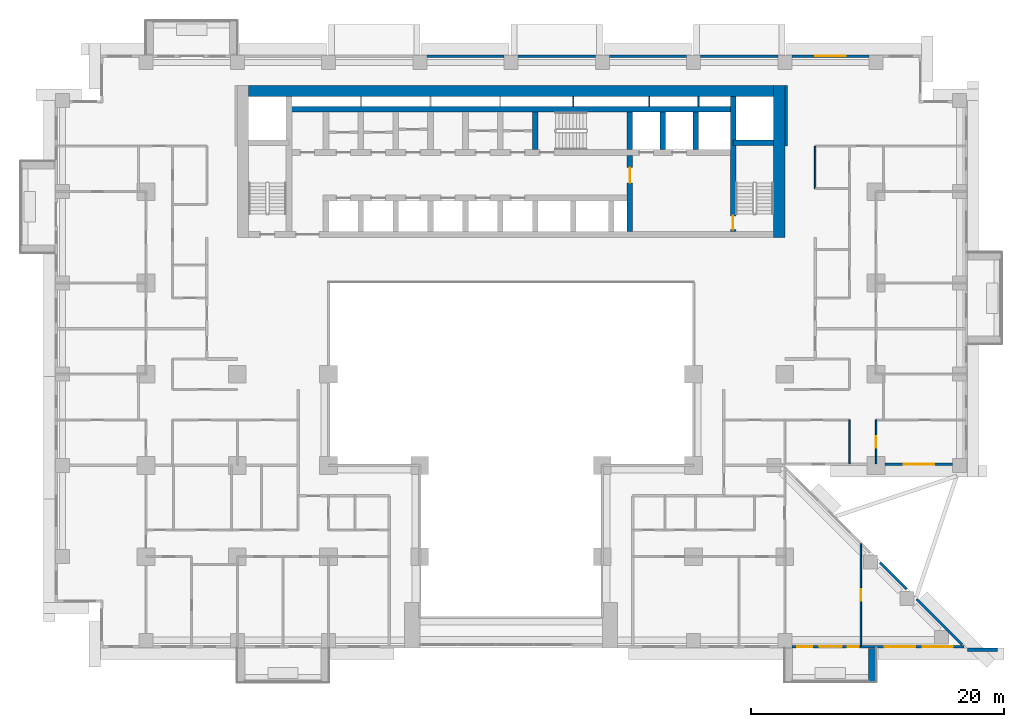
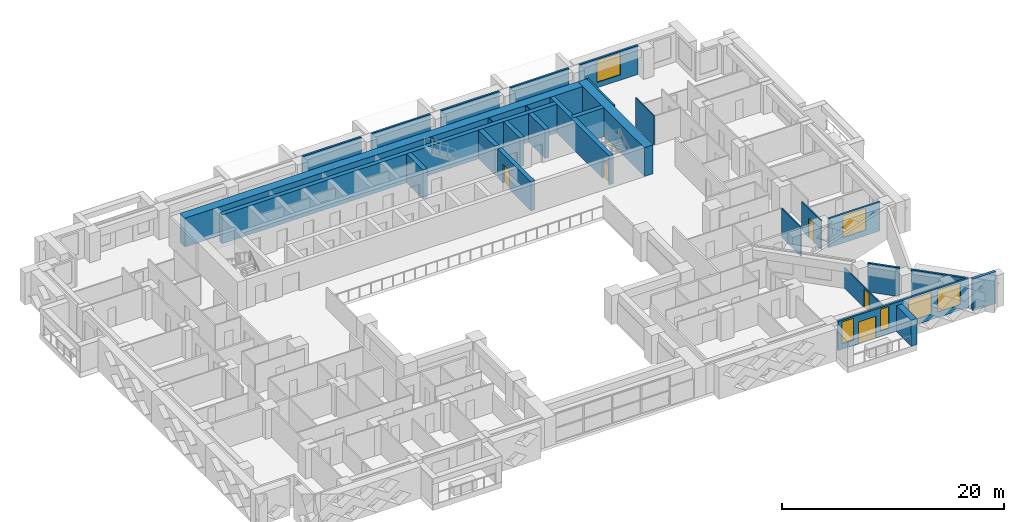
# One storey, part 11 of 17: 29 walls, 6 windows, 5 doors, 11 openings.
"""IFC4 building model written with IfcOpenShell, lengths in metres."""

import ifcopenshell
import ifcopenshell.guid

model = None  # the IFC model being written
_history = None  # IfcOwnerHistory: only IFC2X3 demands one
_inside = {}  # id of a spatial element -> (the spatial element, [elements in it])
_under = {}  # id of a project, library or spatial element -> (it, [spatial elements below it])
_declared = {}  # id of a project -> (the project, [libraries it declares])
_typed = {}  # id of a type object -> (the type object, [elements of that type])
_made_of = {}  # id of a material, layer set ... -> (it, [elements and type objects made of it])


def new_model(schema):
    """Start an empty IFC model of exactly this schema.

    Asked for "IFC4X3", IfcOpenShell would pick the latest addendum, in which some entities
    have other attributes; the version numbers below select the first issue.
    IFC2X3 requires an IfcOwnerHistory on every rooted entity: one is made here for all.
    """
    global model, _history
    if schema == "IFC4X3":
        model = ifcopenshell.file(schema_version=(4, 3, 0, 0))
    else:
        model = ifcopenshell.file(schema=schema)
    _inside.clear()
    _under.clear()
    _declared.clear()
    _typed.clear()
    _made_of.clear()
    _history = None
    if model.schema == "IFC2X3":
        org = make("IfcOrganization", Name="unknown")
        user = make(
            "IfcPersonAndOrganization",
            ThePerson=make("IfcPerson", FamilyName="unknown"),
            TheOrganization=org,
        )
        app = make(
            "IfcApplication",
            ApplicationDeveloper=org,
            Version="unknown",
            ApplicationFullName="unknown",
            ApplicationIdentifier="unknown",
        )
        _history = make(
            "IfcOwnerHistory",
            OwningUser=user,
            OwningApplication=app,
            ChangeAction="ADDED",
            CreationDate=0,
        )
    return model


def make(cls, **values):
    """One entity of the class cls with the attributes given. An attribute that is None is left unset."""
    return model.create_entity(
        cls, **{name: value for name, value in values.items() if value is not None}
    )


def rooted(cls, **values):
    """An entity with a GlobalId (a new one), such as an element, a storey or a relation."""
    return make(cls, GlobalId=ifcopenshell.guid.new(), OwnerHistory=_history, **values)


def si_unit(unit_type, name, prefix=None):
    """IfcSIUnit, for example si_unit("LENGTHUNIT", "METRE", prefix="MILLI")."""
    return make("IfcSIUnit", UnitType=unit_type, Prefix=prefix, Name=name)


def assignment(units):
    """IfcUnitAssignment: the units of a project."""
    return None if units is None else make("IfcUnitAssignment", Units=units)


def point(xyz):
    """IfcCartesianPoint."""
    return None if xyz is None else make("IfcCartesianPoint", Coordinates=xyz)


def direction(xyz):
    """IfcDirection."""
    return None if xyz is None else make("IfcDirection", DirectionRatios=xyz)


def frame(location, z_axis=None, x_axis=None):
    """IfcAxis2Placement3D, a coordinate frame: its origin and axes. An axis left out is left unset."""
    return make(
        "IfcAxis2Placement3D",
        Location=point(location),
        Axis=direction(z_axis),
        RefDirection=direction(x_axis),
    )


def frame_2d(location, x_axis=None):
    """IfcAxis2Placement2D, a coordinate frame in the plane: its origin and x axis."""
    return make(
        "IfcAxis2Placement2D", Location=point(location), RefDirection=direction(x_axis)
    )


def origin():
    """The frame at (0, 0, 0) with its axes left unset."""
    return frame((0.0, 0.0, 0.0))


def place(relative_to, where):
    """IfcLocalPlacement: puts the frame where relative to a parent placement (None: the world)."""
    return make(
        "IfcLocalPlacement", PlacementRelTo=relative_to, RelativePlacement=where
    )


def context(
    kind, dimensions, precision=None, world=None, true_north=None, identifier=None
):
    """IfcGeometricRepresentationContext, for example the 3D "Model" context."""
    return make(
        "IfcGeometricRepresentationContext",
        ContextIdentifier=identifier,
        ContextType=kind,
        CoordinateSpaceDimension=dimensions,
        Precision=precision,
        WorldCoordinateSystem=world,
        TrueNorth=true_north,
    )


def subcontext(parent, identifier, kind, view, scale=None):
    """IfcGeometricRepresentationSubContext, for example "Body" below "Model"."""
    return make(
        "IfcGeometricRepresentationSubContext",
        ContextIdentifier=identifier,
        ContextType=kind,
        ParentContext=parent,
        TargetScale=scale,
        TargetView=view,
    )


def project(units=None, contexts=None):
    """IfcProject with its units and contexts."""
    return rooted(
        "IfcProject",
        Name="project",
        RepresentationContexts=contexts,
        UnitsInContext=assignment(units),
    )


def spatial(cls, under=None, at=None, **own):
    """A site, building, storey or space (cls), placed at a placement, below another one or the project."""
    s = rooted(cls, ObjectPlacement=at, **own)
    if under is not None:
        _under.setdefault(under.id(), (under, []))[1].append(s)
    return s


def profile(cls, at=None, kind="AREA", **sizes):
    """A parametric profile (cls). Its sizes go by their IFC names, for example OverallWidth=200.0."""
    return make(cls, ProfileType=kind, Position=at, **sizes)


def rectangle(**sizes):
    """IfcRectangleProfileDef."""
    return profile("IfcRectangleProfileDef", **sizes)


def extrude(swept, where, along, depth):
    """IfcExtrudedAreaSolid: the profile swept, set in the frame where, extruded along a direction by depth."""
    return make(
        "IfcExtrudedAreaSolid",
        SweptArea=swept,
        Position=where,
        ExtrudedDirection=direction(along),
        Depth=depth,
    )


def shape(context_of_items, identifier, shape_type, items):
    """IfcShapeRepresentation: the items that make up one representation, for example the "Body"."""
    return make(
        "IfcShapeRepresentation",
        ContextOfItems=context_of_items,
        RepresentationIdentifier=identifier,
        RepresentationType=shape_type,
        Items=items,
    )


def material(Name=None, Category=None):
    """IfcMaterial."""
    return make("IfcMaterial", Name=Name, Category=Category)


def layer(
    of_material, thickness, ventilated=None, Name=None, Category=None, Priority=None
):
    """IfcMaterialLayer: one layer of a wall or slab, of a material (None: an air gap)."""
    return make(
        "IfcMaterialLayer",
        Material=of_material,
        LayerThickness=thickness,
        IsVentilated=ventilated,
        Name=Name,
        Category=Category,
        Priority=Priority,
    )


def layer_set(layers, Name=None):
    """IfcMaterialLayerSet."""
    return make("IfcMaterialLayerSet", MaterialLayers=layers, LayerSetName=Name)


def made_of(thing, what):
    """Note that an element or type object is made of a material, layer set ...; save() writes the relation."""
    if what is not None:
        _made_of.setdefault(what.id(), (what, []))[1].append(thing)
    return thing


def type_object(cls, material=None, **own):
    """A type object (cls), such as IfcWallType, which elements share."""
    return made_of(rooted(cls, **own), material)


def element(
    cls,
    number,
    at=None,
    inside=None,
    cuts=None,
    type_object=None,
    material=None,
    context=None,
    identifier="Body",
    shape_type=None,
    held_by="IfcProductDefinitionShape",
    body=None,
    shapes=None,
    **own,
):
    """One element of the class cls, such as IfcWall. Its Tag is "e" and its number.

    at: its placement. inside: the storey or other place that contains it. cuts: it is an
    opening in that element (IfcRelVoidsElement). A single representation is given by context,
    identifier, shape_type and body (its items); several are given by shapes. held_by: the class
    of the entity that holds the representations. save() writes the other relations.
    """
    e = rooted(cls, Tag="e%d" % number, ObjectPlacement=at, **own)
    if body is not None:
        shapes = [shape(context, identifier, shape_type, body)]
    if shapes is not None:
        e.Representation = make(held_by, Representations=shapes)
    if inside is not None:
        _inside.setdefault(inside.id(), (inside, []))[1].append(e)
    if cuts is not None:
        rooted(
            "IfcRelVoidsElement", RelatingBuildingElement=cuts, RelatedOpeningElement=e
        )
    if type_object is not None:
        _typed.setdefault(type_object.id(), (type_object, []))[1].append(e)
    return made_of(e, material)


def fill(opening, filler):
    """IfcRelFillsElement: the door or window that sits in an opening."""
    return rooted(
        "IfcRelFillsElement",
        RelatingOpeningElement=opening,
        RelatedBuildingElement=filler,
    )


def aggregate(whole, parts):
    """IfcRelAggregates: a whole, such as a stair, and the parts it consists of."""
    return rooted("IfcRelAggregates", RelatingObject=whole, RelatedObjects=parts)


def save(model, path):
    """Write the relations noted so far, then the file.

    IfcRelAggregates (storeys below a building ...), IfcRelContainedInSpatialStructure (elements
    in a storey), IfcRelDefinesByType, IfcRelAssociatesMaterial and IfcRelDeclares: one each for
    every whole, place, type object, material and project.
    """
    for whole, parts in _under.values():
        aggregate(whole, parts)
    for where, things in _inside.values():
        rooted(
            "IfcRelContainedInSpatialStructure",
            RelatedElements=things,
            RelatingStructure=where,
        )
    for kind, things in _typed.values():
        rooted("IfcRelDefinesByType", RelatedObjects=things, RelatingType=kind)
    for what, things in _made_of.values():
        rooted("IfcRelAssociatesMaterial", RelatedObjects=things, RelatingMaterial=what)
    for by, libraries in _declared.values():
        rooted("IfcRelDeclares", RelatingContext=by, RelatedDefinitions=libraries)
    model.write(path)


model = new_model("IFC4")

# Units and contexts
model_context = context("Model", 3, precision=1e-05, world=origin(), true_north=direction((0.0, 1.0)))
body_context = subcontext(model_context, "Body", "Model", "MODEL_VIEW")
ifc_project = project(units=[si_unit("LENGTHUNIT", "METRE"), si_unit("AREAUNIT", "SQUARE_METRE"), si_unit("VOLUMEUNIT", "CUBIC_METRE"), si_unit("PLANEANGLEUNIT", "RADIAN"), si_unit("MASSUNIT", "GRAM", prefix="KILO")], contexts=[model_context])

# Site, building, storey
site_placement = place(None, origin())
site = spatial("IfcSite", under=ifc_project, at=site_placement, CompositionType="ELEMENT")
building_placement = place(site_placement, origin())
building = spatial("IfcBuilding", under=site, at=building_placement, Name="Saffron Iwan Residences", CompositionType="ELEMENT")
storey_placement = place(building_placement, frame((0.0, 0.0, 55.0)))
storey = spatial("IfcBuildingStorey", under=building, at=storey_placement, Name="L13", CompositionType="ELEMENT", Elevation=55.0)

# Walls
ifc_material_1 = material(Name="Concrete C50/60 white painted", Category="concrete")
ifc_layer_1 = layer(ifc_material_1, 0.60009765625)
ifc_layer_set_1 = layer_set([ifc_layer_1], Name="Concrete C50/60 white painted")
wall_type_1 = type_object("IfcWallType", Name="BALCONY FIN 600", PredefinedType="SOLIDWALL", material=ifc_layer_set_1)
wall_1_placement = place(storey_placement, frame((78.89990234375, 33.550048828125, 0.0), z_axis=(0.0, 0.0, 1.0), x_axis=(0.0, -1.0, 0.0)))
element("IfcWall", 1, at=wall_1_placement, inside=storey, type_object=wall_type_1, Name="Balcony fin L13 11-1b", PredefinedType="SOLIDWALL", context=body_context, shape_type="SweptSolid", body=[
    extrude(rectangle(XDim=2.650146484375, YDim=0.60009765625, at=frame_2d((1.3251953125, 0.0))), origin(), (0.0, 0.0, 1.0), 2.85009765625),
])
ifc_material_2 = material(Name="Concrete C40/50", Category="concrete")
ifc_layer_2 = layer(ifc_material_2, 0.199951171875)
ifc_layer_set_2 = layer_set([ifc_layer_2], Name="Concrete C40/50")
wall_type_2 = type_object("IfcWallType", Name="EXTERNAL WALL 200", PredefinedType="SOLIDWALL", material=ifc_layer_set_2)
wall_2_placement = place(storey_placement, frame((85.995849609375, 33.862548828125, 0.0), z_axis=(0.0, 0.0, 1.0), x_axis=(-0.7070827891, 0.707130772459, 0.0)))
element("IfcWall", 2, at=wall_2_placement, inside=storey, type_object=wall_type_2, Name="External wall L13 F0.0", PredefinedType="SOLIDWALL", context=body_context, shape_type="SweptSolid", body=[
    extrude(rectangle(XDim=5.088134765625, YDim=0.199951171875, at=frame_2d((2.5439453125, 0.0))), origin(), (0.0, 0.0, 1.0), 3.179931640625),
])
wall_3_placement = place(storey_placement, frame((81.620361328125, 38.23828125, 0.0), z_axis=(0.0, 0.0, 1.0), x_axis=(-0.707106781187, 0.707106781187, 0.0)))
element("IfcWall", 3, at=wall_3_placement, inside=storey, type_object=wall_type_2, Name="External wall L13 F0.1", PredefinedType="SOLIDWALL", context=body_context, shape_type="SweptSolid", body=[
    extrude(rectangle(XDim=2.97265625, YDim=0.199951171875, at=frame_2d((1.486328125, 0.0))), origin(), (0.0, 0.0, 1.0), 3.179931640625),
])

# Wall, opening, window
wall_4_placement = place(storey_placement, frame((79.89990234375, 48.10009765625, 0.0), z_axis=(0.0, 0.0, 1.0), x_axis=(1.0, 0.0, 0.0)))
wall_4 = element("IfcWall", 4, at=wall_4_placement, inside=storey, type_object=wall_type_2, Name="External wall L13 F1.1", PredefinedType="SOLIDWALL", context=body_context, shape_type="SweptSolid", body=[
    extrude(rectangle(XDim=5.35009765625, YDim=0.199951171875, at=frame_2d((2.675048828125, 0.0))), origin(), (0.0, 0.0, 1.0), 3.179931640625),
])
opening_1_placement = place(wall_4_placement, frame((1.47509765625, 0.0, 0.60009765625)))
opening_1 = element("IfcOpeningElement", 5, at=opening_1_placement, cuts=wall_4, Name="Opening W1", PredefinedType="OPENING", context=body_context, shape_type="SweptSolid", body=[
    extrude(rectangle(XDim=2.39990234375, YDim=2.39990234375, at=frame_2d((1.199951171875, 1.199951171875))), frame((0.0, 0.10986328125, 0.0), z_axis=(0.0, -1.0, 0.0), x_axis=(1.0, 0.0, 0.0)), (0.0, 0.0, 1.0), 0.219970703125),
])
ifc_material_3 = material(Name="Clear glass, laminated double glazed", Category="glass")
window_type_1 = type_object("IfcWindowType", Name="WINDOW 2400 x 2400", PartitioningType="DOUBLE_PANEL_VERTICAL", PredefinedType="WINDOW", material=ifc_material_3)
window_1_placement = place(opening_1_placement, origin())
window_1 = element("IfcWindow", 6, at=window_1_placement, inside=storey, type_object=window_type_1, Name="Window L13 F1.0", OverallHeight=2.39990234375, OverallWidth=2.39990234375, PartitioningType="DOUBLE_PANEL_VERTICAL", PredefinedType="WINDOW", context=body_context, shape_type="SweptSolid", body=[
    extrude(rectangle(XDim=2.39990234375, YDim=2.39990234375, at=frame_2d((1.199951171875, 1.199951171875))), frame((0.0, 0.030029296875, 0.0), z_axis=(0.0, -1.0, 0.0), x_axis=(1.0, 0.0, 0.0)), (0.0, 0.0, 1.0), 0.06005859375),
])
fill(opening_1, window_1)

wall_5_placement = place(storey_placement, frame((78.64990234375, 80.300048828125, 0.0), z_axis=(0.0, 0.0, 1.0), x_axis=(-1.0, 0.0, 0.0)))
wall_5 = element("IfcWall", 7, at=wall_5_placement, inside=storey, type_object=wall_type_2, Name="External wall L13 F5.1", PredefinedType="SOLIDWALL", context=body_context, shape_type="SweptSolid", body=[
    extrude(rectangle(XDim=6.099853515625, YDim=0.199951171875, at=frame_2d((3.0498046875, 0.0))), origin(), (0.0, 0.0, 1.0), 3.179931640625),
])
opening_2_placement = place(wall_5_placement, frame((1.85009765625, 0.0, 0.60009765625)))
opening_2 = element("IfcOpeningElement", 8, at=opening_2_placement, cuts=wall_5, Name="Opening W1", PredefinedType="OPENING", context=body_context, shape_type="SweptSolid", body=[
    extrude(rectangle(XDim=2.39990234375, YDim=2.39990234375, at=frame_2d((1.199951171875, 1.199951171875))), frame((0.0, 0.10986328125, 0.0), z_axis=(0.0, -1.0, 0.0), x_axis=(1.0, 0.0, 0.0)), (0.0, 0.0, 1.0), 0.219970703125),
])
window_2_placement = place(opening_2_placement, origin())
window_2 = element("IfcWindow", 9, at=window_2_placement, inside=storey, type_object=window_type_1, Name="Window L13 F5.0", OverallHeight=2.39990234375, OverallWidth=2.39990234375, PartitioningType="DOUBLE_PANEL_VERTICAL", PredefinedType="WINDOW", context=body_context, shape_type="SweptSolid", body=[
    extrude(rectangle(XDim=2.39990234375, YDim=2.39990234375, at=frame_2d((1.199951171875, 1.199951171875))), frame((0.0, 0.030029296875, 0.0), z_axis=(0.0, -1.0, 0.0), x_axis=(1.0, 0.0, 0.0)), (0.0, 0.0, 1.0), 0.06005859375),
])
fill(opening_2, window_2)

# Walls
wall_6_placement = place(storey_placement, frame((71.449951171875, 80.300048828125, 0.0), z_axis=(0.0, 0.0, 1.0), x_axis=(-1.0, 0.0, 0.0)))
element("IfcWall", 10, at=wall_6_placement, inside=storey, type_object=wall_type_2, Name="External wall L13 F5.2", PredefinedType="SOLIDWALL", context=body_context, shape_type="SweptSolid", body=[
    extrude(rectangle(XDim=6.099853515625, YDim=0.199951171875, at=frame_2d((3.0498046875, 0.0))), origin(), (0.0, 0.0, 1.0), 3.179931640625),
])
for number, where, z_axis, x_axis, name in (
    (11, (64.25, 80.300048828125, 0.0), (0.0, 0.0, 1.0), (-1.0, 0.0, 0.0), "External wall L13 F5.3"),
    (12, (57.050048828125, 80.300048828125, 0.0), (0.0, 0.0, 1.0), (-1.0, 0.0, 0.0), "External wall L13 F5.4"),
    (13, (49.85009765625, 80.300048828125, 0.0), (0.0, 0.0, 1.0), (-1.0, 0.0, 0.0), "External wall L13 F5.5"),
):
    element("IfcWall", number, at=place(storey_placement, frame(where, z_axis=z_axis, x_axis=x_axis)), inside=storey, type_object=wall_type_2, Name=name, PredefinedType="SOLIDWALL", context=body_context, shape_type="SweptSolid", body=[
        extrude(rectangle(XDim=6.10009765625, YDim=0.199951171875, at=frame_2d((3.050048828125, 0.0))), origin(), (0.0, 0.0, 1.0), 3.179931640625),
    ])

# Wall, openings, door, windows
wall_7_placement = place(storey_placement, frame((72.550048828125, 33.699951171875, 0.0), z_axis=(0.0, 0.0, 1.0), x_axis=(1.0, 0.0, 0.0)))
wall_7 = element("IfcWall", 14, at=wall_7_placement, inside=storey, type_object=wall_type_2, Name="External wall L13 F11.6", PredefinedType="SOLIDWALL", context=body_context, shape_type="SweptSolid", body=[
    extrude(rectangle(XDim=13.608642578125, YDim=0.199951171875, at=frame_2d((6.80419921875, 0.0))), origin(), (0.0, 0.0, 1.0), 3.179931640625),
])
opening_3_placement = place(wall_7_placement, frame((2.14990234375, 0.0, 0.0)))
opening_3 = element("IfcOpeningElement", 15, at=opening_3_placement, cuts=wall_7, Name="Opening BD1", PredefinedType="OPENING", context=body_context, shape_type="SweptSolid", body=[
    extrude(rectangle(XDim=1.800048828125, YDim=2.39990234375, at=frame_2d((0.89990234375, 1.199951171875))), frame((0.0, 0.10986328125, 0.0), z_axis=(0.0, -1.0, 0.0), x_axis=(1.0, 0.0, 0.0)), (0.0, 0.0, 1.0), 0.219970703125),
])
opening_4_placement = place(wall_7_placement, frame((0.425048828125, 0.0, 0.60009765625)))
opening_4 = element("IfcOpeningElement", 16, at=opening_4_placement, cuts=wall_7, Name="Opening W3", PredefinedType="OPENING", context=body_context, shape_type="SweptSolid", body=[
    extrude(rectangle(XDim=1.199951171875, YDim=2.39990234375, at=frame_2d((0.60009765625, 1.199951171875))), frame((0.0, 0.10986328125, 0.0), z_axis=(0.0, -1.0, 0.0), x_axis=(1.0, 0.0, 0.0)), (0.0, 0.0, 1.0), 0.219970703125),
])
opening_5_placement = place(wall_7_placement, frame((4.39990234375, 0.0, 0.60009765625)))
opening_5 = element("IfcOpeningElement", 17, at=opening_5_placement, cuts=wall_7, Name="Opening W10", PredefinedType="OPENING", context=body_context, shape_type="SweptSolid", body=[
    extrude(rectangle(XDim=0.89990234375, YDim=2.39990234375, at=frame_2d((0.449951171875, 1.199951171875))), frame((0.0, 0.10986328125, 0.0), z_axis=(0.0, -1.0, 0.0), x_axis=(1.0, 0.0, 0.0)), (0.0, 0.0, 1.0), 0.219970703125),
])
opening_6_placement = place(wall_7_placement, frame((7.336181640625, 0.0, 0.60009765625)))
opening_6 = element("IfcOpeningElement", 18, at=opening_6_placement, cuts=wall_7, Name="Opening W1", PredefinedType="OPENING", context=body_context, shape_type="SweptSolid", body=[
    extrude(rectangle(XDim=2.39990234375, YDim=2.39990234375, at=frame_2d((1.199951171875, 1.199951171875))), frame((0.0, 0.10986328125, 0.0), z_axis=(0.0, -1.0, 0.0), x_axis=(1.0, 0.0, 0.0)), (0.0, 0.0, 1.0), 0.219970703125),
])
opening_7_placement = place(wall_7_placement, frame((10.322509765625, 0.0, 0.60009765625)))
opening_7 = element("IfcOpeningElement", 19, at=opening_7_placement, cuts=wall_7, Name="Opening W1", PredefinedType="OPENING", context=body_context, shape_type="SweptSolid", body=[
    extrude(rectangle(XDim=2.39990234375, YDim=2.39990234375, at=frame_2d((1.199951171875, 1.199951171875))), frame((0.0, 0.10986328125, 0.0), z_axis=(0.0, -1.0, 0.0), x_axis=(1.0, 0.0, 0.0)), (0.0, 0.0, 1.0), 0.219970703125),
])
door_type_1 = type_object("IfcDoorType", Name="BALCONY DOOR 1800 x 2400", OperationType="DOUBLE_DOOR_SLIDING", PredefinedType="DOOR", material=ifc_material_3)
door_1_placement = place(opening_3_placement, origin())
door_1 = element("IfcDoor", 20, at=door_1_placement, inside=storey, type_object=door_type_1, Name="Balcony door L13 F11.0", OperationType="DOUBLE_DOOR_SLIDING", OverallHeight=2.39990234375, OverallWidth=1.800048828125, PredefinedType="DOOR", context=body_context, shape_type="SweptSolid", body=[
    extrude(rectangle(XDim=1.800048828125, YDim=2.39990234375, at=frame_2d((0.89990234375, 1.199951171875))), frame((0.0, 0.02490234375, 0.0), z_axis=(0.0, -1.0, 0.0), x_axis=(1.0, 0.0, 0.0)), (0.0, 0.0, 1.0), 0.050048828125),
])
fill(opening_3, door_1)
window_type_2 = type_object("IfcWindowType", Name="WINDOW 1200 x 2400", PartitioningType="SINGLE_PANEL", PredefinedType="WINDOW", material=ifc_material_3)
window_3_placement = place(opening_4_placement, origin())
window_3 = element("IfcWindow", 21, at=window_3_placement, inside=storey, type_object=window_type_2, Name="Window L13 F11.1", OverallHeight=2.39990234375, OverallWidth=1.199951171875, PartitioningType="SINGLE_PANEL", PredefinedType="WINDOW", context=body_context, shape_type="SweptSolid", body=[
    extrude(rectangle(XDim=1.199951171875, YDim=2.39990234375, at=frame_2d((0.60009765625, 1.199951171875))), frame((0.0, 0.030029296875, 0.0), z_axis=(0.0, -1.0, 0.0), x_axis=(1.0, 0.0, 0.0)), (0.0, 0.0, 1.0), 0.06005859375),
])
fill(opening_4, window_3)
window_4_placement = place(opening_6_placement, origin())
window_4 = element("IfcWindow", 22, at=window_4_placement, inside=storey, type_object=window_type_1, Name="Window L13 F11.3", OverallHeight=2.39990234375, OverallWidth=2.39990234375, PartitioningType="DOUBLE_PANEL_VERTICAL", PredefinedType="WINDOW", context=body_context, shape_type="SweptSolid", body=[
    extrude(rectangle(XDim=2.39990234375, YDim=2.39990234375, at=frame_2d((1.199951171875, 1.199951171875))), frame((0.0, 0.030029296875, 0.0), z_axis=(0.0, -1.0, 0.0), x_axis=(1.0, 0.0, 0.0)), (0.0, 0.0, 1.0), 0.06005859375),
])
fill(opening_6, window_4)
window_5_placement = place(opening_7_placement, origin())
window_5 = element("IfcWindow", 23, at=window_5_placement, inside=storey, type_object=window_type_1, Name="Window L13 F11.4", OverallHeight=2.39990234375, OverallWidth=2.39990234375, PartitioningType="DOUBLE_PANEL_VERTICAL", PredefinedType="WINDOW", context=body_context, shape_type="SweptSolid", body=[
    extrude(rectangle(XDim=2.39990234375, YDim=2.39990234375, at=frame_2d((1.199951171875, 1.199951171875))), frame((0.0, 0.030029296875, 0.0), z_axis=(0.0, -1.0, 0.0), x_axis=(1.0, 0.0, 0.0)), (0.0, 0.0, 1.0), 0.06005859375),
])
fill(opening_7, window_5)
window_type_3 = type_object("IfcWindowType", Name="WINDOW 900 x 2400", PartitioningType="SINGLE_PANEL", PredefinedType="WINDOW", material=ifc_material_3)
window_6_placement = place(opening_5_placement, origin())
window_6 = element("IfcWindow", 24, at=window_6_placement, inside=storey, type_object=window_type_3, Name="Window L13 F11.2", OverallHeight=2.39990234375, OverallWidth=0.89990234375, PartitioningType="SINGLE_PANEL", PredefinedType="WINDOW", context=body_context, shape_type="SweptSolid", body=[
    extrude(rectangle(XDim=0.89990234375, YDim=2.39990234375, at=frame_2d((0.449951171875, 1.199951171875))), frame((0.0, 0.030029296875, 0.0), z_axis=(0.0, -1.0, 0.0), x_axis=(1.0, 0.0, 0.0)), (0.0, 0.0, 1.0), 0.06005859375),
])
fill(opening_5, window_6)

# Walls
ifc_material_4 = material(Name="Gypsum board partition")
ifc_layer_3 = layer(ifc_material_4, 0.1201171875)
ifc_layer_set_3 = layer_set([ifc_layer_3], Name="Gypsum board partition")
wall_type_3 = type_object("IfcWallType", Name="Flat partition 120", PredefinedType="PARTITIONING", material=ifc_layer_set_3)
wall_8_placement = place(storey_placement, frame((74.39990234375, 69.85009765625, 0.0), z_axis=(0.0, 0.0, 1.0), x_axis=(0.0, 1.0, 0.0)))
element("IfcWall", 25, at=wall_8_placement, inside=storey, type_object=wall_type_3, Name="W-L13-PART-v74.4-69.85", PredefinedType="PARTITIONING", context=body_context, shape_type="SweptSolid", body=[
    extrude(rectangle(XDim=3.349853515625, YDim=0.1201171875, at=frame_2d((1.6748046875, 0.0))), origin(), (0.0, 0.0, 1.0), 3.179931640625),
])
wall_9_placement = place(storey_placement, frame((77.10009765625, 48.125, 0.0), z_axis=(0.0, 0.0, 1.0), x_axis=(0.0, 1.0, 0.0)))
element("IfcWall", 26, at=wall_9_placement, inside=storey, type_object=wall_type_3, Name="W-L13-PART-v77.1-48.125", PredefinedType="PARTITIONING", context=body_context, shape_type="SweptSolid", body=[
    extrude(rectangle(XDim=3.47509765625, YDim=0.1201171875, at=frame_2d((1.737548828125, 0.0))), origin(), (0.0, 0.0, 1.0), 3.179931640625),
])

# Wall, opening, door
wall_10_placement = place(storey_placement, frame((78.0, 33.72509765625, 0.0), z_axis=(0.0, 0.0, 1.0), x_axis=(0.0, 1.0, 0.0)))
wall_10 = element("IfcWall", 27, at=wall_10_placement, inside=storey, type_object=wall_type_3, Name="W-L13-PART-v78-33.725", PredefinedType="PARTITIONING", context=body_context, shape_type="SweptSolid", body=[
    extrude(rectangle(XDim=8.097900390625, YDim=0.1201171875, at=frame_2d((4.048828125, 0.0))), origin(), (0.0, 0.0, 1.0), 2.280029296875),
])
opening_8_placement = place(wall_10_placement, frame((3.59912109375, 0.0, 0.0)))
opening_8 = element("IfcOpeningElement", 28, at=opening_8_placement, cuts=wall_10, Name="Opening FD2", PredefinedType="OPENING", context=body_context, shape_type="SweptSolid", body=[
    extrude(rectangle(XDim=0.89990234375, YDim=2.10009765625, at=frame_2d((0.449951171875, 1.050048828125))), frame((0.0, 0.070068359375, 0.0), z_axis=(0.0, -1.0, 0.0), x_axis=(1.0, 0.0, 0.0)), (0.0, 0.0, 1.0), 0.14013671875),
])
ifc_material_5 = material(Name="Timber door", Category="wood")
door_type_2 = type_object("IfcDoorType", Name="Flat door 900", OperationType="NOTDEFINED", PredefinedType="DOOR", material=ifc_material_5)
door_2_placement = place(opening_8_placement, origin())
door_2 = element("IfcDoor", 29, at=door_2_placement, inside=storey, type_object=door_type_2, Name="Door L13-052", OperationType="SINGLE_SWING_LEFT", OverallHeight=2.10009765625, OverallWidth=0.89990234375, PredefinedType="DOOR", context=body_context, shape_type="SweptSolid", body=[
    extrude(rectangle(XDim=0.89990234375, YDim=2.10009765625, at=frame_2d((0.449951171875, 1.050048828125))), frame((0.0, 0.02490234375, 0.0), z_axis=(0.0, -1.0, 0.0), x_axis=(1.0, 0.0, 0.0)), (0.0, 0.0, 1.0), 0.050048828125),
])
fill(opening_8, door_2)

wall_11_placement = place(storey_placement, frame((79.199951171875, 48.125, 0.0), z_axis=(0.0, 0.0, 1.0), x_axis=(0.0, 1.0, 0.0)))
wall_11 = element("IfcWall", 30, at=wall_11_placement, inside=storey, type_object=wall_type_3, Name="W-L13-PART-v79.2-48.125", PredefinedType="PARTITIONING", context=body_context, shape_type="SweptSolid", body=[
    extrude(rectangle(XDim=3.47509765625, YDim=0.1201171875, at=frame_2d((1.737548828125, 0.0))), origin(), (0.0, 0.0, 1.0), 3.179931640625),
])
opening_9_placement = place(wall_11_placement, frame((1.28759765625, 0.0, 0.0)))
opening_9 = element("IfcOpeningElement", 31, at=opening_9_placement, cuts=wall_11, Name="Opening FD2", PredefinedType="OPENING", context=body_context, shape_type="SweptSolid", body=[
    extrude(rectangle(XDim=0.89990234375, YDim=2.10009765625, at=frame_2d((0.449951171875, 1.050048828125))), frame((0.0, 0.070068359375, 0.0), z_axis=(0.0, -1.0, 0.0), x_axis=(1.0, 0.0, 0.0)), (0.0, 0.0, 1.0), 0.14013671875),
])
door_3_placement = place(opening_9_placement, origin())
door_3 = element("IfcDoor", 32, at=door_3_placement, inside=storey, type_object=door_type_2, Name="Door L13-022", OperationType="SINGLE_SWING_LEFT", OverallHeight=2.10009765625, OverallWidth=0.89990234375, PredefinedType="DOOR", context=body_context, shape_type="SweptSolid", body=[
    extrude(rectangle(XDim=0.89990234375, YDim=2.10009765625, at=frame_2d((0.449951171875, 1.050048828125))), frame((0.0, 0.02490234375, 0.0), z_axis=(0.0, -1.0, 0.0), x_axis=(1.0, 0.0, 0.0)), (0.0, 0.0, 1.0), 0.050048828125),
])
fill(opening_9, door_3)

# Walls
ifc_material_6 = material(Name="Fire-rated gypsum board wall")
ifc_layer_4 = layer(ifc_material_6, 0.199951171875)
ifc_layer_set_4 = layer_set([ifc_layer_4], Name="Fire-rated gypsum board wall")
wall_type_4 = type_object("IfcWallType", Name="Gallery wall 200", PredefinedType="SOLIDWALL", material=ifc_layer_set_4)
wall_12_placement = place(storey_placement, frame((72.10009765625, 73.199951171875, 0.0), z_axis=(0.0, 0.0, 1.0), x_axis=(0.0, 1.0, 0.0)))
element("IfcWall", 33, at=wall_12_placement, inside=storey, type_object=wall_type_4, Name="W-L13-CORR-v72-73.2", PredefinedType="SOLIDWALL", context=body_context, shape_type="SweptSolid", body=[
    extrude(rectangle(XDim=4.800048828125, YDim=0.199951171875, at=frame_2d((2.39990234375, 0.0))), origin(), (0.0, 0.0, 1.0), 3.179931640625),
])
ifc_layer_5 = layer(ifc_material_1, 0.300048828125)
ifc_layer_set_5 = layer_set([ifc_layer_5], Name="Concrete C50/60 white painted")
wall_type_5 = type_object("IfcWallType", Name="PROW BLADE 300", PredefinedType="SOLIDWALL", material=ifc_layer_set_5)
wall_13_placement = place(storey_placement, frame((86.39990234375, 33.449951171875, -0.320068359375), z_axis=(0.0, 0.0, 1.0), x_axis=(1.0, 0.0, 0.0)))
element("IfcWall", 34, at=wall_13_placement, inside=storey, type_object=wall_type_5, Name="Prow blade L13", PredefinedType="SOLIDWALL", context=body_context, shape_type="SweptSolid", body=[
    extrude(rectangle(XDim=2.400146484375, YDim=0.300048828125, at=frame_2d((1.2001953125, 0.0))), origin(), (0.0, 0.0, 1.0), 3.5),
])
ifc_material_7 = material(Name="Fire-rated plasterboard partition")
ifc_layer_6 = layer(ifc_material_7, 0.10009765625)
ifc_layer_set_6 = layer_set([ifc_layer_6], Name="Fire-rated plasterboard partition")
wall_type_6 = type_object("IfcWallType", Name="Riser partition 100", PredefinedType="PARTITIONING", material=ifc_layer_set_6)
for number, where, z_axis, x_axis, name in (
    (35, (55.300048828125, 76.324951171875, 0.0), (0.0, 0.0, 1.0), (0.0, 1.0, 0.0), "Core partition P09"),
    (36, (61.300048828125, 76.324951171875, 0.0), (0.0, 0.0, 1.0), (0.0, 1.0, 0.0), "Core partition P10"),
    (37, (65.199951171875, 76.324951171875, 0.0), (0.0, 0.0, 1.0), (0.0, 1.0, 0.0), "Core partition P11"),
):
    element("IfcWall", number, at=place(storey_placement, frame(where, z_axis=z_axis, x_axis=x_axis)), inside=storey, type_object=wall_type_6, Name=name, PredefinedType="PARTITIONING", context=body_context, shape_type="SweptSolid", body=[
        extrude(rectangle(XDim=0.775146484375, YDim=0.10009765625, at=frame_2d((0.3876953125, 0.0))), origin(), (0.0, 0.0, 1.0), 3.179931640625),
    ])
ifc_material_8 = material(Name="Concrete C60/75", Category="concrete")
ifc_layer_7 = layer(ifc_material_8, 0.449951171875)
ifc_layer_set_7 = layer_set([ifc_layer_7], Name="Concrete C60/75")
wall_type_7 = type_object("IfcWallType", Name="WALL CORE 450 C60/75 3180 HIGH", PredefinedType="SHEAR", material=ifc_layer_set_7)
wall_14_placement = place(storey_placement, frame((32.875, 76.10009765625, 0.0), z_axis=(0.0, 0.0, 1.0), x_axis=(1.0, 0.0, 0.0)))
element("IfcWall", 38, at=wall_14_placement, inside=storey, type_object=wall_type_7, Name="Core wall", PredefinedType="SHEAR", context=body_context, shape_type="SweptSolid", body=[
    extrude(rectangle(XDim=35.050048828125, YDim=0.449951171875, at=frame_2d((17.52490234375, 0.0))), origin(), (0.0, 0.0, 1.0), 3.179931640625),
])
wall_15_placement = place(storey_placement, frame((67.925048828125, 73.47509765625, 0.0), z_axis=(0.0, 0.0, 1.0), x_axis=(1.0, 0.0, 0.0)))
element("IfcWall", 39, at=wall_15_placement, inside=storey, type_object=wall_type_7, Name="Core wall", PredefinedType="SHEAR", context=body_context, shape_type="SweptSolid", body=[
    extrude(rectangle(XDim=3.175048828125, YDim=0.449951171875, at=frame_2d((1.58740234375, 0.0))), origin(), (0.0, 0.0, 1.0), 3.179931640625),
])

# Wall, opening, door
wall_16_placement = place(storey_placement, frame((67.925048828125, 66.449951171875, 0.0), z_axis=(0.0, 0.0, 1.0), x_axis=(0.0, 1.0, 0.0)))
wall_16 = element("IfcWall", 40, at=wall_16_placement, inside=storey, type_object=wall_type_7, Name="Core wall", PredefinedType="SHEAR", context=body_context, shape_type="SweptSolid", body=[
    extrude(rectangle(XDim=10.650146484375, YDim=0.449951171875, at=frame_2d((5.3251953125, 0.0))), origin(), (0.0, 0.0, 1.0), 3.179931640625),
])
opening_10_placement = place(wall_16_placement, frame((0.14990234375, 0.0, 0.0)))
opening_10 = element("IfcOpeningElement", 41, at=opening_10_placement, cuts=wall_16, Name="Opening SD", PredefinedType="OPENING", context=body_context, shape_type="SweptSolid", body=[
    extrude(rectangle(XDim=1.10009765625, YDim=2.10009765625, at=frame_2d((0.550048828125, 1.050048828125))), frame((0.0, 0.23486328125, 0.0), z_axis=(0.0, -1.0, 0.0), x_axis=(1.0, 0.0, 0.0)), (0.0, 0.0, 1.0), 0.469970703125),
])
ifc_material_9 = material(Name="Steel fire door", Category="steel")
door_type_3 = type_object("IfcDoorType", Name="Stair door 1100", OperationType="NOTDEFINED", PredefinedType="DOOR", material=ifc_material_9)
door_4_placement = place(opening_10_placement, origin())
door_4 = element("IfcDoor", 42, at=door_4_placement, inside=storey, type_object=door_type_3, Name="Stair door ST-E", OperationType="SINGLE_SWING_LEFT", OverallHeight=2.10009765625, OverallWidth=1.10009765625, PredefinedType="DOOR", context=body_context, shape_type="SweptSolid", body=[
    extrude(rectangle(XDim=1.10009765625, YDim=2.10009765625, at=frame_2d((0.550048828125, 1.050048828125))), frame((0.0, 0.02490234375, 0.0), z_axis=(0.0, -1.0, 0.0), x_axis=(1.0, 0.0, 0.0)), (0.0, 0.0, 1.0), 0.050048828125),
])
fill(opening_10, door_4)

wall_17_placement = place(storey_placement, frame((59.77490234375, 66.449951171875, 0.0), z_axis=(0.0, 0.0, 1.0), x_axis=(0.0, 1.0, 0.0)))
wall_17 = element("IfcWall", 43, at=wall_17_placement, inside=storey, type_object=wall_type_7, Name="Core wall", PredefinedType="SHEAR", context=body_context, shape_type="SweptSolid", body=[
    extrude(rectangle(XDim=6.025146484375, YDim=0.449951171875, at=frame_2d((3.0126953125, 0.0))), origin(), (0.0, 0.0, 1.0), 3.179931640625),
])
opening_11_placement = place(wall_17_placement, frame((3.85009765625, 0.0, 0.0)))
opening_11 = element("IfcOpeningElement", 44, at=opening_11_placement, cuts=wall_17, Name="Opening FD", PredefinedType="OPENING", context=body_context, shape_type="SweptSolid", body=[
    extrude(rectangle(XDim=1.199951171875, YDim=2.10009765625, at=frame_2d((0.60009765625, 1.050048828125))), frame((0.0, 0.23486328125, 0.0), z_axis=(0.0, -1.0, 0.0), x_axis=(1.0, 0.0, 0.0)), (0.0, 0.0, 1.0), 0.469970703125),
])
door_type_4 = type_object("IfcDoorType", Name="Firefighting lobby door 1200", OperationType="NOTDEFINED", PredefinedType="DOOR", material=ifc_material_9)
door_5_placement = place(opening_11_placement, origin())
door_5 = element("IfcDoor", 45, at=door_5_placement, inside=storey, type_object=door_type_4, Name="Firefighting lobby door", OperationType="SINGLE_SWING_RIGHT", OverallHeight=2.10009765625, OverallWidth=1.199951171875, PredefinedType="DOOR", context=body_context, shape_type="SweptSolid", body=[
    extrude(rectangle(XDim=1.199951171875, YDim=2.10009765625, at=frame_2d((0.60009765625, 1.050048828125))), frame((0.0, 0.02490234375, 0.0), z_axis=(0.0, -1.0, 0.0), x_axis=(1.0, 0.0, 0.0)), (0.0, 0.0, 1.0), 0.050048828125),
])
fill(opening_11, door_5)

# Walls
for number, where, z_axis, x_axis, name in (
    (46, (59.77490234375, 72.925048828125, 0.0), (0.0, 0.0, 1.0), (0.0, 1.0, 0.0), "Core wall"),
    (47, (52.300048828125, 72.925048828125, 0.0), (0.0, 0.0, 1.0), (0.0, 1.0, 0.0), "Core wall"),
    (48, (62.375, 72.925048828125, 0.0), (0.0, 0.0, 1.0), (0.0, 1.0, 0.0), "Core wall"),
    (49, (64.97509765625, 72.925048828125, 0.0), (0.0, 0.0, 1.0), (0.0, 1.0, 0.0), "Core wall"),
):
    element("IfcWall", number, at=place(storey_placement, frame(where, z_axis=z_axis, x_axis=x_axis)), inside=storey, type_object=wall_type_7, Name=name, PredefinedType="SHEAR", context=body_context, shape_type="SweptSolid", body=[
        extrude(rectangle(XDim=2.949951171875, YDim=0.449951171875, at=frame_2d((1.47509765625, 0.0))), origin(), (0.0, 0.0, 1.0), 3.179931640625),
    ])
ifc_layer_8 = layer(ifc_material_8, 0.89990234375)
ifc_layer_set_8 = layer_set([ifc_layer_8], Name="Concrete C60/75")
wall_type_8 = type_object("IfcWallType", Name="WALL CORE 900 C60/75 3180 HIGH", PredefinedType="SHEAR", material=ifc_layer_set_8)
wall_18_placement = place(storey_placement, frame((71.550048828125, 66.0, 0.0), z_axis=(0.0, 0.0, 1.0), x_axis=(0.0, 1.0, 0.0)))
element("IfcWall", 50, at=wall_18_placement, inside=storey, type_object=wall_type_8, Name="Core wall", PredefinedType="SHEAR", context=body_context, shape_type="SweptSolid", body=[
    extrude(rectangle(XDim=12.0, YDim=0.89990234375, at=frame_2d((6.0, 0.0))), origin(), (0.0, 0.0, 1.0), 3.179931640625),
])
wall_19_placement = place(storey_placement, frame((29.699951171875, 77.550048828125, 0.0), z_axis=(0.0, 0.0, 1.0), x_axis=(1.0, 0.0, 0.0)))
element("IfcWall", 51, at=wall_19_placement, inside=storey, type_object=wall_type_8, Name="Core wall", PredefinedType="SHEAR", context=body_context, shape_type="SweptSolid", body=[
    extrude(rectangle(XDim=41.400146484375, YDim=0.89990234375, at=frame_2d((20.7001953125, 0.0))), origin(), (0.0, 0.0, 1.0), 3.179931640625),
])

save(model, "model.ifc")
